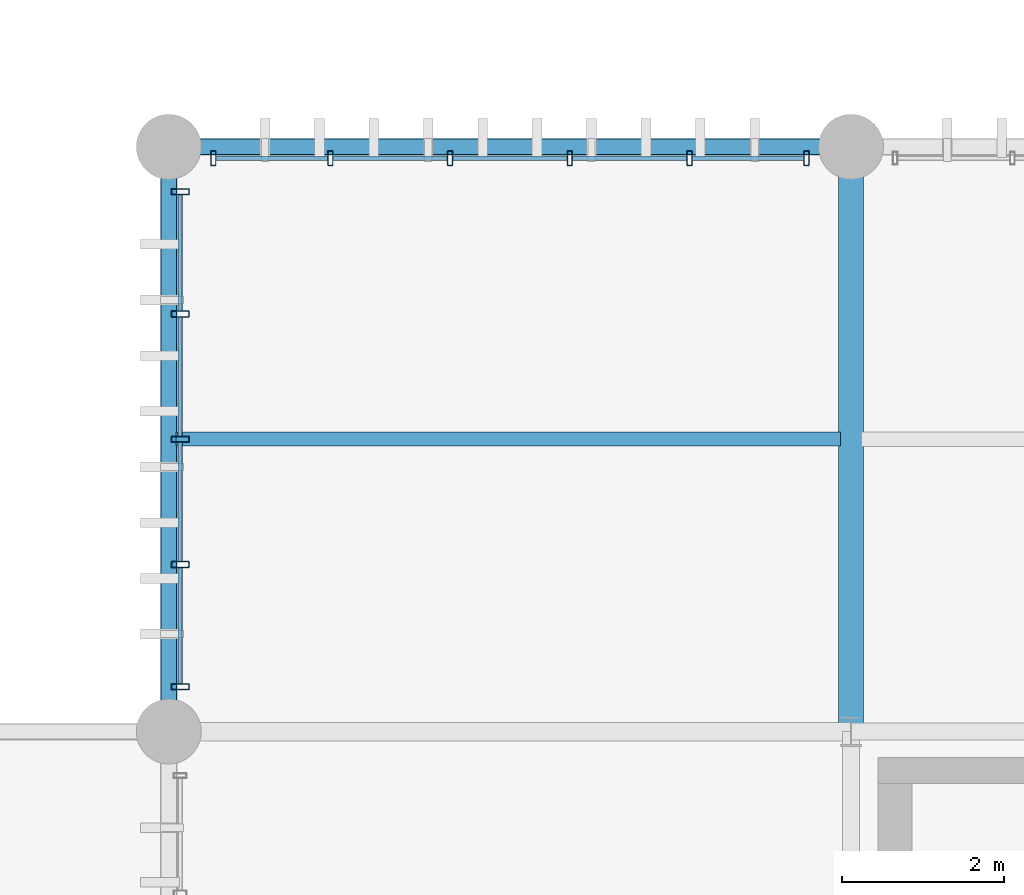
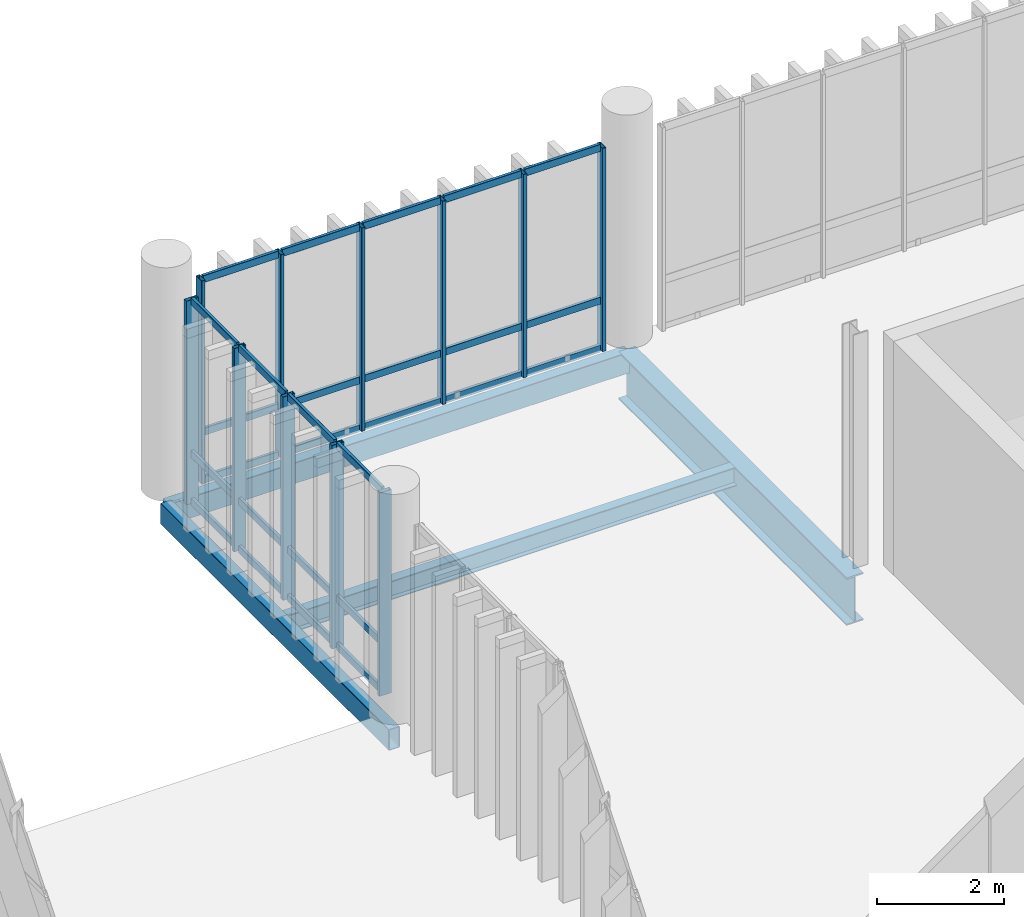
# One storey, part 23 of 68: 38 members, 4 beams, 2 elements without a shape of their own.
"""IFC4 building model written with IfcOpenShell, lengths in metres."""

from ifc_helpers import new_model, si_unit, direction, frame, origin_with_axes, origin_2d_with_axis, place, context, subcontext, project, spatial, hollow_rectangle, i_section, extrude, material, material_profile, profile_set, type_object, element, aggregate, save


model = new_model("IFC4")

# Units and contexts
model_context = context("Model", 3, precision=1e-05, world=origin_with_axes(), true_north=direction((0.0, 1.0)))
body_context = subcontext(model_context, "Body", "Model", "MODEL_VIEW")
ifc_project = project(units=[si_unit("LENGTHUNIT", "METRE"), si_unit("AREAUNIT", "SQUARE_METRE"), si_unit("VOLUMEUNIT", "CUBIC_METRE"), si_unit("PLANEANGLEUNIT", "RADIAN"), si_unit("MASSUNIT", "GRAM", prefix="KILO"), si_unit("THERMODYNAMICTEMPERATUREUNIT", "KELVIN")], contexts=[model_context])

# Site, building, storey
site_placement = place(None, origin_with_axes())
site = spatial("IfcSite", under=ifc_project, at=site_placement, CompositionType="ELEMENT")
building_placement = place(site_placement, origin_with_axes())
building = spatial("IfcBuilding", under=site, at=building_placement, Name="Montbau Bow Law Courts", CompositionType="ELEMENT")
storey_placement = place(building_placement, frame((0.0, 0.0, 20.4), z_axis=(0.0, 0.0, 1.0), x_axis=(1.0, 0.0, 0.0)))
storey = spatial("IfcBuildingStorey", under=building, at=storey_placement, Name="L04", CompositionType="ELEMENT", Elevation=20.4)

# Beams
ifc_material_1 = material(Name="Steel CSA G40.21 Grade 350W (350 MPa)", Category="steel")
ifc_material_profile_1 = material_profile(ifc_material_1, i_section(OverallWidth=0.306, OverallDepth=0.919, WebThickness=0.0173, FlangeThickness=0.0279, at=origin_2d_with_axis()), Name="W920X253", Category="Main", Priority=0)
ifc_profile_set_1 = profile_set([ifc_material_profile_1], Name="Steel CSA G40.21 Grade 350W (350 MPa)")
beam_type_1 = type_object("IfcBeamType", Name="B-FLR-01", PredefinedType="BEAM", material=ifc_profile_set_1)
beam_1_placement = place(None, frame((55.2, 54.6, 19.661), z_axis=(0.0, 1.0, 0.0), x_axis=(-1.0, 0.0, 0.0)))
element("IfcBeam", 1, at=beam_1_placement, inside=storey, type_object=beam_type_1, Name="BM-L04-S0942:bm2_0945", PredefinedType="BEAM", context=body_context, shape_type="SweptSolid", body=[
    extrude(i_section(OverallWidth=0.306, OverallDepth=0.919, WebThickness=0.0173, FlangeThickness=0.0279, at=origin_2d_with_axis()), origin_with_axes(), (0.0, 0.0, 1.0), 7.2),
])
ifc_material_profile_2 = material_profile(ifc_material_1, i_section(OverallWidth=0.172, OverallDepth=0.358, WebThickness=0.0079, FlangeThickness=0.0131, at=origin_2d_with_axis()), Name="W360X57", Category="Main", Priority=0)
ifc_profile_set_2 = profile_set([ifc_material_profile_2], Name="Steel CSA G40.21 Grade 350W (350 MPa)")
beam_type_2 = type_object("IfcBeamType", Name="B-JST-03", PredefinedType="JOIST", material=ifc_profile_set_2)
beam_2_placement = place(None, frame((46.88, 58.2, 19.941), z_axis=(1.0, 0.0, 0.0), x_axis=(0.0, 1.0, 0.0)))
element("IfcBeam", 2, at=beam_2_placement, inside=storey, type_object=beam_type_2, Name="JST-L04-S0478:jst2_0478", PredefinedType="JOIST", context=body_context, shape_type="SweptSolid", body=[
    extrude(i_section(OverallWidth=0.172, OverallDepth=0.358, WebThickness=0.0079, FlangeThickness=0.0131, at=origin_2d_with_axis()), origin_with_axes(), (0.0, 0.0, 1.0), 8.191),
])
ifc_material_2 = material(Name="Steel CSA G40.21 Grade 350WT (350 MPa)", Category="steel")
ifc_material_profile_3 = material_profile(ifc_material_2, hollow_rectangle(XDim=0.203, YDim=0.406, WallThickness=0.0127, InnerFilletRadius=0.0254, OuterFilletRadius=0.0127, at=origin_2d_with_axis()), Name="HSS406X203X13", Category="Main", Priority=0)
ifc_profile_set_3 = profile_set([ifc_material_profile_3], Name="Steel CSA G40.21 Grade 350WT (350 MPa)")
beam_type_3 = type_object("IfcBeamType", Name="B-SPN-01", PredefinedType="SPANDREL", material=ifc_profile_set_3)
beam_3_placement = place(None, frame((46.8, 61.8, 19.917), z_axis=(1.0, 0.0, 0.0), x_axis=(0.0, 1.0, 0.0)))
element("IfcBeam", 3, at=beam_3_placement, inside=storey, type_object=beam_type_3, Name="SPN-L04-S0933:bm2_0936", PredefinedType="SPANDREL", context=body_context, shape_type="SweptSolid", body=[
    extrude(hollow_rectangle(XDim=0.203, YDim=0.406, WallThickness=0.0127, InnerFilletRadius=0.0254, OuterFilletRadius=0.0127, at=origin_2d_with_axis()), origin_with_axes(), (0.0, 0.0, 1.0), 8.4),
])
beam_4_placement = place(None, frame((46.8, 54.6, 19.917), z_axis=(0.0, 1.0, 0.0), x_axis=(-1.0, 0.0, 0.0)))
element("IfcBeam", 4, at=beam_4_placement, inside=storey, type_object=beam_type_3, Name="SPN-L04-S0939:bm2_0942", PredefinedType="SPANDREL", context=body_context, shape_type="SweptSolid", body=[
    extrude(hollow_rectangle(XDim=0.203, YDim=0.406, WallThickness=0.0127, InnerFilletRadius=0.0254, OuterFilletRadius=0.0127, at=origin_2d_with_axis()), origin_with_axes(), (0.0, 0.0, 1.0), 7.2),
])

# Curtain wall, members
ifc_material_3 = material(Name="Thermally Broken Extruded Aluminium AA 6063-T6", Category="aluminium")
curtain_wall_type = type_object("IfcCurtainWallType", Name="CW-CRM-01", PredefinedType="NOTDEFINED", material=ifc_material_3)
curtain_wall_1_placement = place(None, frame((46.94, 55.115, 20.4), z_axis=(0.0, 0.0, 1.0), x_axis=(1.0, 0.0, 0.0)))
curtain_wall_1 = element("IfcCurtainWall", 5, at=curtain_wall_1_placement, inside=storey, type_object=curtain_wall_type, Name="CW-L04-207:cw_0207", PredefinedType="NOTDEFINED")
ifc_material_profile_4 = material_profile(ifc_material_3, hollow_rectangle(XDim=0.075, YDim=0.22, WallThickness=0.005, InnerFilletRadius=0.01, OuterFilletRadius=0.005, at=origin_2d_with_axis()), Name="CWM-220X75", Category="Main", Priority=0)
ifc_profile_set_4 = profile_set([ifc_material_profile_4], Name="Thermally Broken Extruded Aluminium AA 6063-T6")
member_type_1 = type_object("IfcMemberType", Name="M-MUL-01", PredefinedType="MULLION", material=ifc_profile_set_4)
member_1_placement = place(None, frame((46.94, 55.152, 20.4), z_axis=(0.0, 0.0, 1.0), x_axis=(0.0, 1.0, 0.0)))
member_1 = element("IfcMember", 6, at=member_1_placement, type_object=member_type_1, Name="CW-L04-207-M01:cw_0207_M01", PredefinedType="MULLION", context=body_context, shape_type="SweptSolid", body=[
    extrude(hollow_rectangle(XDim=0.075, YDim=0.22, WallThickness=0.005, InnerFilletRadius=0.01, OuterFilletRadius=0.005, at=origin_2d_with_axis()), origin_with_axes(), (0.0, 0.0, 1.0), 3.92),
])
member_2_placement = place(None, frame((46.94, 56.657, 20.4), z_axis=(0.0, 0.0, 1.0), x_axis=(0.0, 1.0, 0.0)))
member_2 = element("IfcMember", 7, at=member_2_placement, type_object=member_type_1, Name="CW-L04-207-M02:cw_0207_M02", PredefinedType="MULLION", context=body_context, shape_type="SweptSolid", body=[
    extrude(hollow_rectangle(XDim=0.075, YDim=0.22, WallThickness=0.005, InnerFilletRadius=0.01, OuterFilletRadius=0.005, at=origin_2d_with_axis()), origin_with_axes(), (0.0, 0.0, 1.0), 3.92),
])
member_3_placement = place(None, frame((46.94, 58.2, 20.4), z_axis=(0.0, 0.0, 1.0), x_axis=(0.0, 1.0, 0.0)))
member_3 = element("IfcMember", 8, at=member_3_placement, type_object=member_type_1, Name="CW-L04-207-M03:cw_0207_M03", PredefinedType="MULLION", context=body_context, shape_type="SweptSolid", body=[
    extrude(hollow_rectangle(XDim=0.075, YDim=0.22, WallThickness=0.005, InnerFilletRadius=0.01, OuterFilletRadius=0.005, at=origin_2d_with_axis()), origin_with_axes(), (0.0, 0.0, 1.0), 3.92),
])
member_4_placement = place(None, frame((46.94, 59.742, 20.4), z_axis=(0.0, 0.0, 1.0), x_axis=(0.0, 1.0, 0.0)))
member_4 = element("IfcMember", 9, at=member_4_placement, type_object=member_type_1, Name="CW-L04-207-M04:cw_0207_M04", PredefinedType="MULLION", context=body_context, shape_type="SweptSolid", body=[
    extrude(hollow_rectangle(XDim=0.075, YDim=0.22, WallThickness=0.005, InnerFilletRadius=0.01, OuterFilletRadius=0.005, at=origin_2d_with_axis()), origin_with_axes(), (0.0, 0.0, 1.0), 3.92),
])
member_5_placement = place(None, frame((46.94, 61.247, 20.4), z_axis=(0.0, 0.0, 1.0), x_axis=(0.0, 1.0, 0.0)))
member_5 = element("IfcMember", 10, at=member_5_placement, type_object=member_type_1, Name="CW-L04-207-M05:cw_0207_M05", PredefinedType="MULLION", context=body_context, shape_type="SweptSolid", body=[
    extrude(hollow_rectangle(XDim=0.075, YDim=0.22, WallThickness=0.005, InnerFilletRadius=0.01, OuterFilletRadius=0.005, at=origin_2d_with_axis()), origin_with_axes(), (0.0, 0.0, 1.0), 3.92),
])

curtain_wall_2_placement = place(None, frame((47.315, 61.66, 20.4), z_axis=(0.0, 0.0, 1.0), x_axis=(1.0, 0.0, 0.0)))
curtain_wall_2 = element("IfcCurtainWall", 11, at=curtain_wall_2_placement, inside=storey, type_object=curtain_wall_type, Name="CW-L04-199:cw_0199", PredefinedType="NOTDEFINED")
ifc_material_profile_5 = material_profile(ifc_material_3, hollow_rectangle(XDim=0.065, YDim=0.18, WallThickness=0.005, InnerFilletRadius=0.01, OuterFilletRadius=0.005, at=origin_2d_with_axis()), Name="CWM-180X65", Category="Main", Priority=0)
ifc_profile_set_5 = profile_set([ifc_material_profile_5], Name="Thermally Broken Extruded Aluminium AA 6063-T6")
member_type_2 = type_object("IfcMemberType", Name="M-MUL-02", PredefinedType="MULLION", material=ifc_profile_set_5)
member_6_placement = place(None, frame((47.348, 61.66, 20.4), z_axis=(0.0, 0.0, 1.0), x_axis=(1.0, 0.0, 0.0)))
member_6 = element("IfcMember", 12, at=member_6_placement, type_object=member_type_2, Name="CW-L04-199-M01:cw_0199_M01", PredefinedType="MULLION", context=body_context, shape_type="SweptSolid", body=[
    extrude(hollow_rectangle(XDim=0.065, YDim=0.18, WallThickness=0.005, InnerFilletRadius=0.01, OuterFilletRadius=0.005, at=origin_2d_with_axis()), origin_with_axes(), (0.0, 0.0, 1.0), 3.92),
])
member_7_placement = place(None, frame((48.789, 61.66, 20.4), z_axis=(0.0, 0.0, 1.0), x_axis=(1.0, 0.0, 0.0)))
member_7 = element("IfcMember", 13, at=member_7_placement, type_object=member_type_2, Name="CW-L04-199-M02:cw_0199_M02", PredefinedType="MULLION", context=body_context, shape_type="SweptSolid", body=[
    extrude(hollow_rectangle(XDim=0.065, YDim=0.18, WallThickness=0.005, InnerFilletRadius=0.01, OuterFilletRadius=0.005, at=origin_2d_with_axis()), origin_with_axes(), (0.0, 0.0, 1.0), 3.92),
])
member_8_placement = place(None, frame((50.263, 61.66, 20.4), z_axis=(0.0, 0.0, 1.0), x_axis=(1.0, 0.0, 0.0)))
member_8 = element("IfcMember", 14, at=member_8_placement, type_object=member_type_2, Name="CW-L04-199-M03:cw_0199_M03", PredefinedType="MULLION", context=body_context, shape_type="SweptSolid", body=[
    extrude(hollow_rectangle(XDim=0.065, YDim=0.18, WallThickness=0.005, InnerFilletRadius=0.01, OuterFilletRadius=0.005, at=origin_2d_with_axis()), origin_with_axes(), (0.0, 0.0, 1.0), 3.92),
])
member_9_placement = place(None, frame((51.737, 61.66, 20.4), z_axis=(0.0, 0.0, 1.0), x_axis=(1.0, 0.0, 0.0)))
member_9 = element("IfcMember", 15, at=member_9_placement, type_object=member_type_2, Name="CW-L04-199-M04:cw_0199_M04", PredefinedType="MULLION", context=body_context, shape_type="SweptSolid", body=[
    extrude(hollow_rectangle(XDim=0.065, YDim=0.18, WallThickness=0.005, InnerFilletRadius=0.01, OuterFilletRadius=0.005, at=origin_2d_with_axis()), origin_with_axes(), (0.0, 0.0, 1.0), 3.92),
])
member_10_placement = place(None, frame((53.211, 61.66, 20.4), z_axis=(0.0, 0.0, 1.0), x_axis=(1.0, 0.0, 0.0)))
member_10 = element("IfcMember", 16, at=member_10_placement, type_object=member_type_2, Name="CW-L04-199-M05:cw_0199_M05", PredefinedType="MULLION", context=body_context, shape_type="SweptSolid", body=[
    extrude(hollow_rectangle(XDim=0.065, YDim=0.18, WallThickness=0.005, InnerFilletRadius=0.01, OuterFilletRadius=0.005, at=origin_2d_with_axis()), origin_with_axes(), (0.0, 0.0, 1.0), 3.92),
])
member_11_placement = place(None, frame((54.653, 61.66, 20.4), z_axis=(0.0, 0.0, 1.0), x_axis=(1.0, 0.0, 0.0)))
member_11 = element("IfcMember", 17, at=member_11_placement, type_object=member_type_2, Name="CW-L04-199-M06:cw_0199_M06", PredefinedType="MULLION", context=body_context, shape_type="SweptSolid", body=[
    extrude(hollow_rectangle(XDim=0.065, YDim=0.18, WallThickness=0.005, InnerFilletRadius=0.01, OuterFilletRadius=0.005, at=origin_2d_with_axis()), origin_with_axes(), (0.0, 0.0, 1.0), 3.92),
])
ifc_material_profile_6 = material_profile(ifc_material_3, hollow_rectangle(XDim=0.055, YDim=0.14, WallThickness=0.004, InnerFilletRadius=0.008, OuterFilletRadius=0.004, at=origin_2d_with_axis()), Name="CWT-140X55", Category="Main", Priority=0)
ifc_profile_set_6 = profile_set([ifc_material_profile_6], Name="Thermally Broken Extruded Aluminium AA 6063-T6")
member_type_3 = type_object("IfcMemberType", Name="M-TRN-02", PredefinedType="USERDEFINED", material=ifc_profile_set_6)
member_12_placement = place(None, frame((47.383, 61.66, 20.427), z_axis=(1.0, 0.0, 0.0), x_axis=(0.0, 1.0, 0.0)))
member_12 = element("IfcMember", 18, at=member_12_placement, type_object=member_type_3, Name="CW-L04-199-T01-1:cw_0199_T01_1", ObjectType="TRANSOM", PredefinedType="USERDEFINED", context=body_context, shape_type="SweptSolid", body=[
    extrude(hollow_rectangle(XDim=0.055, YDim=0.14, WallThickness=0.004, InnerFilletRadius=0.008, OuterFilletRadius=0.004, at=origin_2d_with_axis()), origin_with_axes(), (0.0, 0.0, 1.0), 1.372),
])
member_13_placement = place(None, frame((47.383, 61.66, 21.35), z_axis=(1.0, 0.0, 0.0), x_axis=(0.0, 1.0, 0.0)))
member_13 = element("IfcMember", 19, at=member_13_placement, type_object=member_type_3, Name="CW-L04-199-T01-2:cw_0199_T01_2", ObjectType="TRANSOM", PredefinedType="USERDEFINED", context=body_context, shape_type="SweptSolid", body=[
    extrude(hollow_rectangle(XDim=0.055, YDim=0.14, WallThickness=0.004, InnerFilletRadius=0.008, OuterFilletRadius=0.004, at=origin_2d_with_axis()), origin_with_axes(), (0.0, 0.0, 1.0), 1.372),
])
member_14_placement = place(None, frame((47.383, 61.66, 24.293), z_axis=(1.0, 0.0, 0.0), x_axis=(0.0, 1.0, 0.0)))
member_14 = element("IfcMember", 20, at=member_14_placement, type_object=member_type_3, Name="CW-L04-199-T01-3:cw_0199_T01_3", ObjectType="TRANSOM", PredefinedType="USERDEFINED", context=body_context, shape_type="SweptSolid", body=[
    extrude(hollow_rectangle(XDim=0.055, YDim=0.14, WallThickness=0.004, InnerFilletRadius=0.008, OuterFilletRadius=0.004, at=origin_2d_with_axis()), origin_with_axes(), (0.0, 0.0, 1.0), 1.372),
])
member_15_placement = place(None, frame((48.823, 61.66, 20.427), z_axis=(1.0, 0.0, 0.0), x_axis=(0.0, 1.0, 0.0)))
member_15 = element("IfcMember", 21, at=member_15_placement, type_object=member_type_3, Name="CW-L04-199-T02-1:cw_0199_T02_1", ObjectType="TRANSOM", PredefinedType="USERDEFINED", context=body_context, shape_type="SweptSolid", body=[
    extrude(hollow_rectangle(XDim=0.055, YDim=0.14, WallThickness=0.004, InnerFilletRadius=0.008, OuterFilletRadius=0.004, at=origin_2d_with_axis()), origin_with_axes(), (0.0, 0.0, 1.0), 1.405),
])
member_16_placement = place(None, frame((48.823, 61.66, 21.35), z_axis=(1.0, 0.0, 0.0), x_axis=(0.0, 1.0, 0.0)))
member_16 = element("IfcMember", 22, at=member_16_placement, type_object=member_type_3, Name="CW-L04-199-T02-2:cw_0199_T02_2", ObjectType="TRANSOM", PredefinedType="USERDEFINED", context=body_context, shape_type="SweptSolid", body=[
    extrude(hollow_rectangle(XDim=0.055, YDim=0.14, WallThickness=0.004, InnerFilletRadius=0.008, OuterFilletRadius=0.004, at=origin_2d_with_axis()), origin_with_axes(), (0.0, 0.0, 1.0), 1.405),
])
member_17_placement = place(None, frame((48.823, 61.66, 24.293), z_axis=(1.0, 0.0, 0.0), x_axis=(0.0, 1.0, 0.0)))
member_17 = element("IfcMember", 23, at=member_17_placement, type_object=member_type_3, Name="CW-L04-199-T02-3:cw_0199_T02_3", ObjectType="TRANSOM", PredefinedType="USERDEFINED", context=body_context, shape_type="SweptSolid", body=[
    extrude(hollow_rectangle(XDim=0.055, YDim=0.14, WallThickness=0.004, InnerFilletRadius=0.008, OuterFilletRadius=0.004, at=origin_2d_with_axis()), origin_with_axes(), (0.0, 0.0, 1.0), 1.405),
])
member_18_placement = place(None, frame((50.297, 61.66, 20.427), z_axis=(1.0, 0.0, 0.0), x_axis=(0.0, 1.0, 0.0)))
member_18 = element("IfcMember", 24, at=member_18_placement, type_object=member_type_3, Name="CW-L04-199-T03-1:cw_0199_T03_1", ObjectType="TRANSOM", PredefinedType="USERDEFINED", context=body_context, shape_type="SweptSolid", body=[
    extrude(hollow_rectangle(XDim=0.055, YDim=0.14, WallThickness=0.004, InnerFilletRadius=0.008, OuterFilletRadius=0.004, at=origin_2d_with_axis()), origin_with_axes(), (0.0, 0.0, 1.0), 1.406),
])
member_19_placement = place(None, frame((50.297, 61.66, 21.35), z_axis=(1.0, 0.0, 0.0), x_axis=(0.0, 1.0, 0.0)))
member_19 = element("IfcMember", 25, at=member_19_placement, type_object=member_type_3, Name="CW-L04-199-T03-2:cw_0199_T03_2", ObjectType="TRANSOM", PredefinedType="USERDEFINED", context=body_context, shape_type="SweptSolid", body=[
    extrude(hollow_rectangle(XDim=0.055, YDim=0.14, WallThickness=0.004, InnerFilletRadius=0.008, OuterFilletRadius=0.004, at=origin_2d_with_axis()), origin_with_axes(), (0.0, 0.0, 1.0), 1.406),
])
member_20_placement = place(None, frame((50.297, 61.66, 24.293), z_axis=(1.0, 0.0, 0.0), x_axis=(0.0, 1.0, 0.0)))
member_20 = element("IfcMember", 26, at=member_20_placement, type_object=member_type_3, Name="CW-L04-199-T03-3:cw_0199_T03_3", ObjectType="TRANSOM", PredefinedType="USERDEFINED", context=body_context, shape_type="SweptSolid", body=[
    extrude(hollow_rectangle(XDim=0.055, YDim=0.14, WallThickness=0.004, InnerFilletRadius=0.008, OuterFilletRadius=0.004, at=origin_2d_with_axis()), origin_with_axes(), (0.0, 0.0, 1.0), 1.406),
])
member_21_placement = place(None, frame((51.771, 61.66, 20.427), z_axis=(1.0, 0.0, 0.0), x_axis=(0.0, 1.0, 0.0)))
member_21 = element("IfcMember", 27, at=member_21_placement, type_object=member_type_3, Name="CW-L04-199-T04-1:cw_0199_T04_1", ObjectType="TRANSOM", PredefinedType="USERDEFINED", context=body_context, shape_type="SweptSolid", body=[
    extrude(hollow_rectangle(XDim=0.055, YDim=0.14, WallThickness=0.004, InnerFilletRadius=0.008, OuterFilletRadius=0.004, at=origin_2d_with_axis()), origin_with_axes(), (0.0, 0.0, 1.0), 1.406),
])
member_22_placement = place(None, frame((51.771, 61.66, 21.35), z_axis=(1.0, 0.0, 0.0), x_axis=(0.0, 1.0, 0.0)))
member_22 = element("IfcMember", 28, at=member_22_placement, type_object=member_type_3, Name="CW-L04-199-T04-2:cw_0199_T04_2", ObjectType="TRANSOM", PredefinedType="USERDEFINED", context=body_context, shape_type="SweptSolid", body=[
    extrude(hollow_rectangle(XDim=0.055, YDim=0.14, WallThickness=0.004, InnerFilletRadius=0.008, OuterFilletRadius=0.004, at=origin_2d_with_axis()), origin_with_axes(), (0.0, 0.0, 1.0), 1.406),
])
member_23_placement = place(None, frame((51.771, 61.66, 24.293), z_axis=(1.0, 0.0, 0.0), x_axis=(0.0, 1.0, 0.0)))
member_23 = element("IfcMember", 29, at=member_23_placement, type_object=member_type_3, Name="CW-L04-199-T04-3:cw_0199_T04_3", ObjectType="TRANSOM", PredefinedType="USERDEFINED", context=body_context, shape_type="SweptSolid", body=[
    extrude(hollow_rectangle(XDim=0.055, YDim=0.14, WallThickness=0.004, InnerFilletRadius=0.008, OuterFilletRadius=0.004, at=origin_2d_with_axis()), origin_with_axes(), (0.0, 0.0, 1.0), 1.406),
])
member_24_placement = place(None, frame((53.245, 61.66, 20.427), z_axis=(1.0, 0.0, 0.0), x_axis=(0.0, 1.0, 0.0)))
member_24 = element("IfcMember", 30, at=member_24_placement, type_object=member_type_3, Name="CW-L04-199-T05-1:cw_0199_T05_1", ObjectType="TRANSOM", PredefinedType="USERDEFINED", context=body_context, shape_type="SweptSolid", body=[
    extrude(hollow_rectangle(XDim=0.055, YDim=0.14, WallThickness=0.004, InnerFilletRadius=0.008, OuterFilletRadius=0.004, at=origin_2d_with_axis()), origin_with_axes(), (0.0, 0.0, 1.0), 1.374),
])
member_25_placement = place(None, frame((53.245, 61.66, 21.35), z_axis=(1.0, 0.0, 0.0), x_axis=(0.0, 1.0, 0.0)))
member_25 = element("IfcMember", 31, at=member_25_placement, type_object=member_type_3, Name="CW-L04-199-T05-2:cw_0199_T05_2", ObjectType="TRANSOM", PredefinedType="USERDEFINED", context=body_context, shape_type="SweptSolid", body=[
    extrude(hollow_rectangle(XDim=0.055, YDim=0.14, WallThickness=0.004, InnerFilletRadius=0.008, OuterFilletRadius=0.004, at=origin_2d_with_axis()), origin_with_axes(), (0.0, 0.0, 1.0), 1.374),
])
member_26_placement = place(None, frame((53.245, 61.66, 24.293), z_axis=(1.0, 0.0, 0.0), x_axis=(0.0, 1.0, 0.0)))
member_26 = element("IfcMember", 32, at=member_26_placement, type_object=member_type_3, Name="CW-L04-199-T05-3:cw_0199_T05_3", ObjectType="TRANSOM", PredefinedType="USERDEFINED", context=body_context, shape_type="SweptSolid", body=[
    extrude(hollow_rectangle(XDim=0.055, YDim=0.14, WallThickness=0.004, InnerFilletRadius=0.008, OuterFilletRadius=0.004, at=origin_2d_with_axis()), origin_with_axes(), (0.0, 0.0, 1.0), 1.374),
])
aggregate(curtain_wall_2, [member_6, member_7, member_8, member_9, member_10, member_11, member_12, member_13, member_14, member_15, member_16, member_17, member_18, member_19, member_20, member_21, member_22, member_23, member_24, member_25, member_26])

# Member
member_27_placement = place(None, frame((46.94, 55.191, 20.427), z_axis=(0.0, 1.0, 0.0), x_axis=(-1.0, 0.0, 0.0)))
member_27 = element("IfcMember", 33, at=member_27_placement, type_object=member_type_3, Name="CW-L04-207-T01-1:cw_0207_T01_1", ObjectType="TRANSOM", PredefinedType="USERDEFINED", context=body_context, shape_type="SweptSolid", body=[
    extrude(hollow_rectangle(XDim=0.055, YDim=0.14, WallThickness=0.004, InnerFilletRadius=0.008, OuterFilletRadius=0.004, at=origin_2d_with_axis()), origin_with_axes(), (0.0, 0.0, 1.0), 1.426),
])

member_28_placement = place(None, frame((46.94, 55.191, 21.35), z_axis=(0.0, 1.0, 0.0), x_axis=(-1.0, 0.0, 0.0)))
member_28 = element("IfcMember", 34, at=member_28_placement, type_object=member_type_3, Name="CW-L04-207-T01-2:cw_0207_T01_2", ObjectType="TRANSOM", PredefinedType="USERDEFINED", context=body_context, shape_type="SweptSolid", body=[
    extrude(hollow_rectangle(XDim=0.055, YDim=0.14, WallThickness=0.004, InnerFilletRadius=0.008, OuterFilletRadius=0.004, at=origin_2d_with_axis()), origin_with_axes(), (0.0, 0.0, 1.0), 1.426),
])

member_29_placement = place(None, frame((46.94, 55.191, 24.293), z_axis=(0.0, 1.0, 0.0), x_axis=(-1.0, 0.0, 0.0)))
member_29 = element("IfcMember", 35, at=member_29_placement, type_object=member_type_3, Name="CW-L04-207-T01-3:cw_0207_T01_3", ObjectType="TRANSOM", PredefinedType="USERDEFINED", context=body_context, shape_type="SweptSolid", body=[
    extrude(hollow_rectangle(XDim=0.055, YDim=0.14, WallThickness=0.004, InnerFilletRadius=0.008, OuterFilletRadius=0.004, at=origin_2d_with_axis()), origin_with_axes(), (0.0, 0.0, 1.0), 1.426),
])

member_30_placement = place(None, frame((46.94, 56.697, 20.427), z_axis=(0.0, 1.0, 0.0), x_axis=(-1.0, 0.0, 0.0)))
member_30 = element("IfcMember", 36, at=member_30_placement, type_object=member_type_3, Name="CW-L04-207-T02-1:cw_0207_T02_1", ObjectType="TRANSOM", PredefinedType="USERDEFINED", context=body_context, shape_type="SweptSolid", body=[
    extrude(hollow_rectangle(XDim=0.055, YDim=0.14, WallThickness=0.004, InnerFilletRadius=0.008, OuterFilletRadius=0.004, at=origin_2d_with_axis()), origin_with_axes(), (0.0, 0.0, 1.0), 1.464),
])

member_31_placement = place(None, frame((46.94, 56.697, 21.35), z_axis=(0.0, 1.0, 0.0), x_axis=(-1.0, 0.0, 0.0)))
member_31 = element("IfcMember", 37, at=member_31_placement, type_object=member_type_3, Name="CW-L04-207-T02-2:cw_0207_T02_2", ObjectType="TRANSOM", PredefinedType="USERDEFINED", context=body_context, shape_type="SweptSolid", body=[
    extrude(hollow_rectangle(XDim=0.055, YDim=0.14, WallThickness=0.004, InnerFilletRadius=0.008, OuterFilletRadius=0.004, at=origin_2d_with_axis()), origin_with_axes(), (0.0, 0.0, 1.0), 1.464),
])

member_32_placement = place(None, frame((46.94, 56.697, 24.293), z_axis=(0.0, 1.0, 0.0), x_axis=(-1.0, 0.0, 0.0)))
member_32 = element("IfcMember", 38, at=member_32_placement, type_object=member_type_3, Name="CW-L04-207-T02-3:cw_0207_T02_3", ObjectType="TRANSOM", PredefinedType="USERDEFINED", context=body_context, shape_type="SweptSolid", body=[
    extrude(hollow_rectangle(XDim=0.055, YDim=0.14, WallThickness=0.004, InnerFilletRadius=0.008, OuterFilletRadius=0.004, at=origin_2d_with_axis()), origin_with_axes(), (0.0, 0.0, 1.0), 1.464),
])

member_33_placement = place(None, frame((46.94, 58.239, 20.427), z_axis=(0.0, 1.0, 0.0), x_axis=(-1.0, 0.0, 0.0)))
member_33 = element("IfcMember", 39, at=member_33_placement, type_object=member_type_3, Name="CW-L04-207-T03-1:cw_0207_T03_1", ObjectType="TRANSOM", PredefinedType="USERDEFINED", context=body_context, shape_type="SweptSolid", body=[
    extrude(hollow_rectangle(XDim=0.055, YDim=0.14, WallThickness=0.004, InnerFilletRadius=0.008, OuterFilletRadius=0.004, at=origin_2d_with_axis()), origin_with_axes(), (0.0, 0.0, 1.0), 1.464),
])

member_34_placement = place(None, frame((46.94, 58.239, 21.35), z_axis=(0.0, 1.0, 0.0), x_axis=(-1.0, 0.0, 0.0)))
member_34 = element("IfcMember", 40, at=member_34_placement, type_object=member_type_3, Name="CW-L04-207-T03-2:cw_0207_T03_2", ObjectType="TRANSOM", PredefinedType="USERDEFINED", context=body_context, shape_type="SweptSolid", body=[
    extrude(hollow_rectangle(XDim=0.055, YDim=0.14, WallThickness=0.004, InnerFilletRadius=0.008, OuterFilletRadius=0.004, at=origin_2d_with_axis()), origin_with_axes(), (0.0, 0.0, 1.0), 1.464),
])

member_35_placement = place(None, frame((46.94, 58.239, 24.293), z_axis=(0.0, 1.0, 0.0), x_axis=(-1.0, 0.0, 0.0)))
member_35 = element("IfcMember", 41, at=member_35_placement, type_object=member_type_3, Name="CW-L04-207-T03-3:cw_0207_T03_3", ObjectType="TRANSOM", PredefinedType="USERDEFINED", context=body_context, shape_type="SweptSolid", body=[
    extrude(hollow_rectangle(XDim=0.055, YDim=0.14, WallThickness=0.004, InnerFilletRadius=0.008, OuterFilletRadius=0.004, at=origin_2d_with_axis()), origin_with_axes(), (0.0, 0.0, 1.0), 1.464),
])

member_36_placement = place(None, frame((46.94, 59.781, 20.427), z_axis=(0.0, 1.0, 0.0), x_axis=(-1.0, 0.0, 0.0)))
member_36 = element("IfcMember", 42, at=member_36_placement, type_object=member_type_3, Name="CW-L04-207-T04-1:cw_0207_T04_1", ObjectType="TRANSOM", PredefinedType="USERDEFINED", context=body_context, shape_type="SweptSolid", body=[
    extrude(hollow_rectangle(XDim=0.055, YDim=0.14, WallThickness=0.004, InnerFilletRadius=0.008, OuterFilletRadius=0.004, at=origin_2d_with_axis()), origin_with_axes(), (0.0, 0.0, 1.0), 1.427),
])

member_37_placement = place(None, frame((46.94, 59.781, 21.35), z_axis=(0.0, 1.0, 0.0), x_axis=(-1.0, 0.0, 0.0)))
member_37 = element("IfcMember", 43, at=member_37_placement, type_object=member_type_3, Name="CW-L04-207-T04-2:cw_0207_T04_2", ObjectType="TRANSOM", PredefinedType="USERDEFINED", context=body_context, shape_type="SweptSolid", body=[
    extrude(hollow_rectangle(XDim=0.055, YDim=0.14, WallThickness=0.004, InnerFilletRadius=0.008, OuterFilletRadius=0.004, at=origin_2d_with_axis()), origin_with_axes(), (0.0, 0.0, 1.0), 1.427),
])

member_38_placement = place(None, frame((46.94, 59.781, 24.293), z_axis=(0.0, 1.0, 0.0), x_axis=(-1.0, 0.0, 0.0)))
member_38 = element("IfcMember", 44, at=member_38_placement, type_object=member_type_3, Name="CW-L04-207-T04-3:cw_0207_T04_3", ObjectType="TRANSOM", PredefinedType="USERDEFINED", context=body_context, shape_type="SweptSolid", body=[
    extrude(hollow_rectangle(XDim=0.055, YDim=0.14, WallThickness=0.004, InnerFilletRadius=0.008, OuterFilletRadius=0.004, at=origin_2d_with_axis()), origin_with_axes(), (0.0, 0.0, 1.0), 1.427),
])

aggregate(curtain_wall_1, [member_1, member_2, member_3, member_4, member_5, member_27, member_28, member_29, member_30, member_31, member_32, member_33, member_34, member_35, member_36, member_37, member_38])

save(model, "model.ifc")
